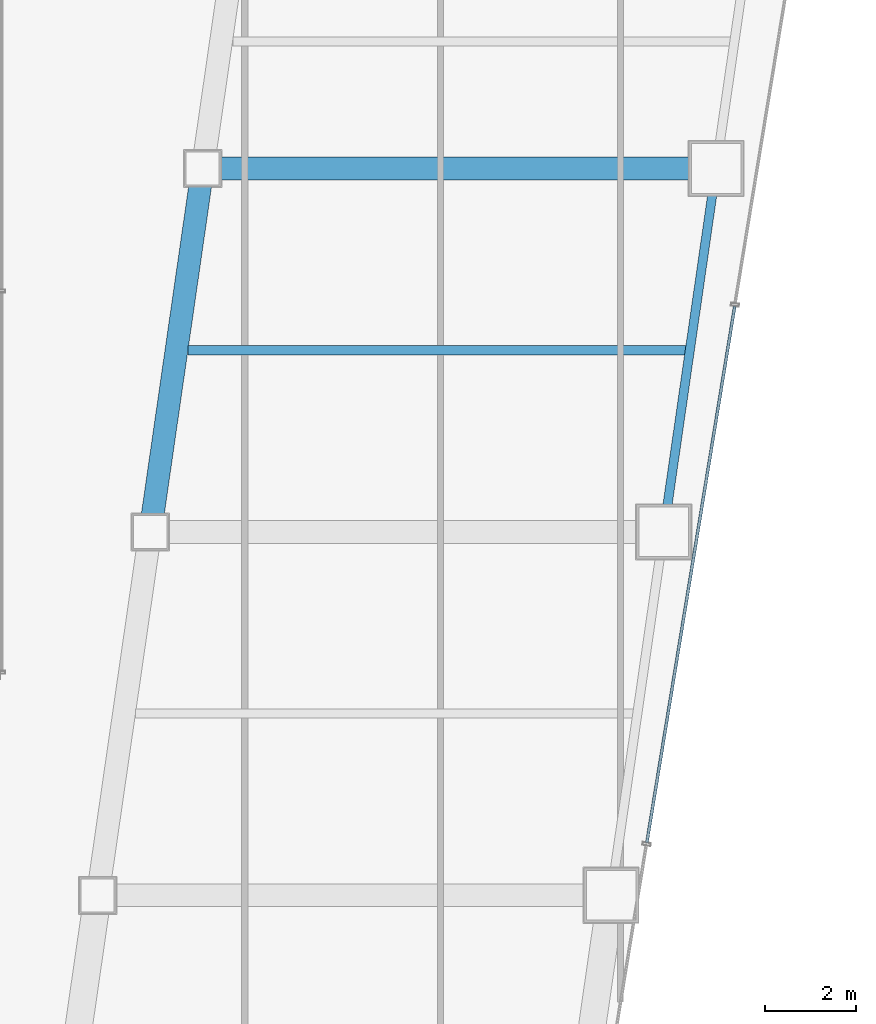
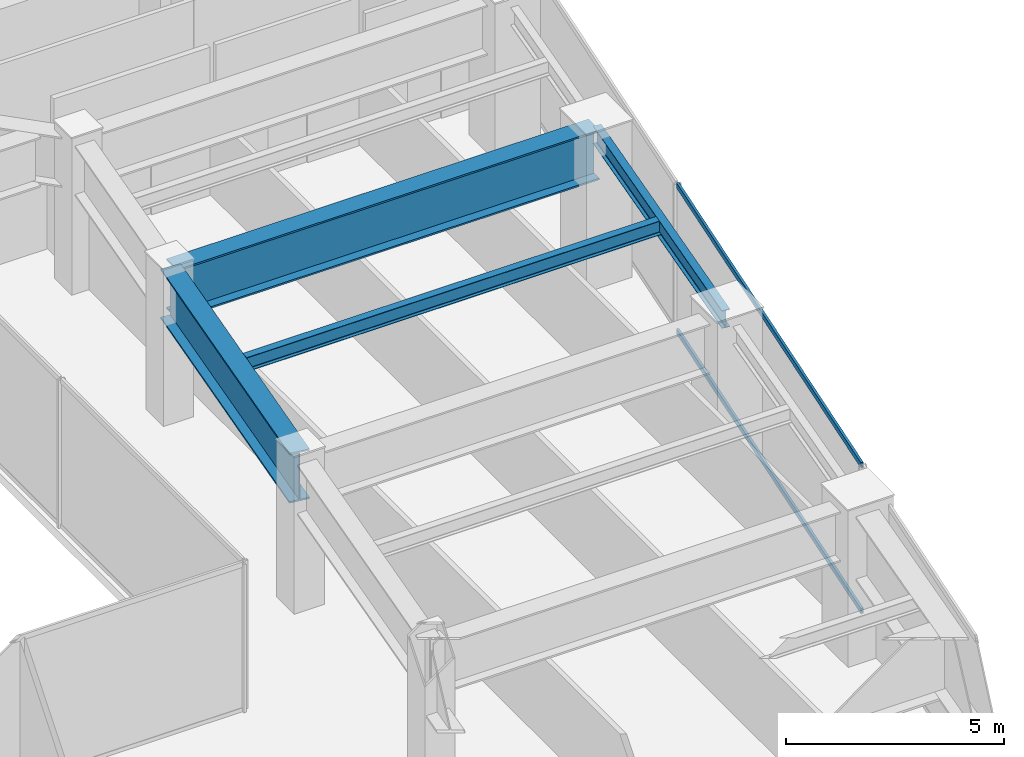
# One storey, part 19 of 40: 4 beams, 2 members, 1 element without a shape of its own.
"""IFC4 building model written with IfcOpenShell, lengths in metres."""

from ifc_helpers import new_model, si_unit, direction, frame, origin, origin_2d, place, context, subcontext, project, spatial, hollow_rectangle, i_section, extrude, material, material_profile, profile_set, type_object, element, aggregate, save


model = new_model("IFC4")

# Units and contexts
model_context = context("Model", 3, precision=1e-05, world=origin(), true_north=direction((0.0, 1.0)))
body_context = subcontext(model_context, "Body", "Model", "MODEL_VIEW")
ifc_project = project(units=[si_unit("LENGTHUNIT", "METRE"), si_unit("AREAUNIT", "SQUARE_METRE"), si_unit("VOLUMEUNIT", "CUBIC_METRE"), si_unit("PLANEANGLEUNIT", "RADIAN"), si_unit("MASSUNIT", "GRAM", prefix="KILO")], contexts=[model_context])

# Site, building, storey
site_placement = place(None, origin())
site = spatial("IfcSite", under=ifc_project, at=site_placement, CompositionType="ELEMENT")
building_placement = place(site_placement, origin())
building = spatial("IfcBuilding", under=site, at=building_placement, Name="Saevonmaru Cultural Tower", CompositionType="ELEMENT")
storey_placement = place(building_placement, frame((0.0, 0.0, 97.199951171875)))
storey = spatial("IfcBuildingStorey", under=building, at=storey_placement, Name="L20", CompositionType="ELEMENT", Elevation=97.199951171875)

# Beams
ifc_material_1 = material(Name="Steel SM355", Category="steel")
ifc_material_profile_1 = material_profile(ifc_material_1, i_section(OverallWidth=0.199951171875, OverallDepth=0.39990234375, WebThickness=0.008056640625, FlangeThickness=0.012939453125, FilletRadius=0.01611328125, at=origin_2d()), Name="H-400x200x8x13")
ifc_profile_set_1 = profile_set([ifc_material_profile_1], Name="Steel SM355")
beam_type_1 = type_object("IfcBeamType", Name="BM-J-H400", PredefinedType="JOIST", material=ifc_profile_set_1)
beam_1_placement = place(storey_placement, frame((40.0634765625, 28.0, 3.949951171875), z_axis=(1.0, 0.0, 0.0), x_axis=(0.0, 1.0, 0.0)))
element("IfcBeam", 1, at=beam_1_placement, inside=storey, type_object=beam_type_1, Name="L20 East Wing Floor Joist 4", PredefinedType="JOIST", context=body_context, shape_type="SweptSolid", body=[
    extrude(i_section(OverallWidth=0.199951171875, OverallDepth=0.39990234375, WebThickness=0.008056640625, FlangeThickness=0.012939453125, FilletRadius=0.01611328125, at=origin_2d()), origin(), (0.0, 0.0, 1.0), 10.98193359375),
])
ifc_material_profile_2 = material_profile(ifc_material_1, i_section(OverallWidth=0.199951171875, OverallDepth=0.5, WebThickness=0.010009765625, FlangeThickness=0.01611328125, FilletRadius=0.02001953125, at=origin_2d()), Name="H-500x200x10x16")
ifc_profile_set_2 = profile_set([ifc_material_profile_2], Name="Steel SM355")
beam_type_2 = type_object("IfcBeamType", Name="BM-SP-H500", PredefinedType="SPANDREL", material=ifc_profile_set_2)
beam_2_placement = place(storey_placement, frame((50.53662109375, 24.059326171875, 3.900146484375), z_axis=(0.142871999001, 0.989741174197, 0.0), x_axis=(-0.989741174197, 0.142871999001, 0.0)))
element("IfcBeam", 2, at=beam_2_placement, inside=storey, type_object=beam_type_2, Name="L20 East Splayed Spandrel 4", PredefinedType="SPANDREL", context=body_context, shape_type="SweptSolid", body=[
    extrude(i_section(OverallWidth=0.199951171875, OverallDepth=0.5, WebThickness=0.010009765625, FlangeThickness=0.01611328125, FilletRadius=0.02001953125, at=origin_2d()), origin(), (0.0, 0.0, 1.0), 7.963134765625),
])
ifc_material_2 = material(Name="Steel HSA600 (600 MPa)", Category="steel")
ifc_material_profile_3 = material_profile(ifc_material_2, i_section(OverallWidth=0.5, OverallDepth=1.39990234375, WebThickness=0.02392578125, FlangeThickness=0.044921875, at=origin_2d()), Name="PG-1400x500x24x45")
ifc_profile_set_3 = profile_set([ifc_material_profile_3], Name="Steel HSA600 (600 MPa)")
beam_type_3 = type_object("IfcBeamType", Name="BM-TG-PG1400", PredefinedType="BEAM", material=ifc_profile_set_3)
beam_3_placement = place(storey_placement, frame((39.236572265625, 24.059326171875, 3.449951171875), z_axis=(0.142902032203, 0.989736838353, 0.0), x_axis=(-0.989736838353, 0.142902032203, 0.0)))
element("IfcBeam", 3, at=beam_3_placement, inside=storey, type_object=beam_type_3, Name="L20 East Atrium Girder 4", PredefinedType="BEAM", context=body_context, shape_type="SweptSolid", body=[
    extrude(i_section(OverallWidth=0.5, OverallDepth=1.39990234375, WebThickness=0.02392578125, FlangeThickness=0.044921875, at=origin_2d()), origin(), (0.0, 0.0, 1.0), 7.963134765625),
])
beam_4_placement = place(storey_placement, frame((40.443115234375, 32.0, 3.449951171875), z_axis=(1.0, 0.0, 0.0), x_axis=(0.0, 1.0, 0.0)))
element("IfcBeam", 4, at=beam_4_placement, inside=storey, type_object=beam_type_3, Name="L20 East Wing Transverse Girder 5", PredefinedType="BEAM", context=body_context, shape_type="SweptSolid", body=[
    extrude(i_section(OverallWidth=0.5, OverallDepth=1.39990234375, WebThickness=0.02392578125, FlangeThickness=0.044921875, at=origin_2d()), origin(), (0.0, 0.0, 1.0), 11.179931640625),
])

# Curtain wall, members
ifc_material_3 = material(Name="Satin Bronze Anodised Aluminium", Category="aluminium")
curtain_wall_type = type_object("IfcCurtainWallType", Name="CW-TYP-A", PredefinedType="NOTDEFINED", material=ifc_material_3)
curtain_wall_placement = place(storey_placement, origin())
curtain_wall = element("IfcCurtainWall", 5, at=curtain_wall_placement, inside=storey, type_object=curtain_wall_type, Name="L20 Unitised Curtain Wall E8", PredefinedType="NOTDEFINED")
ifc_material_profile_4 = material_profile(ifc_material_3, hollow_rectangle(XDim=0.06494140625, YDim=0.14990234375, WallThickness=0.00390625, at=origin_2d()), Name="ALU-TRAN-150x65x4")
ifc_profile_set_4 = profile_set([ifc_material_profile_4], Name="Satin Bronze Anodised Aluminium")
member_type = type_object("IfcMemberType", Name="TR-CW-150x65", PredefinedType="USERDEFINED", material=ifc_profile_set_4)
member_1_placement = place(storey_placement, frame((50.16015625, 17.16162109375, 0.032470703125), z_axis=(0.161701400727, 0.986839732177, 0.0), x_axis=(-0.986839732177, 0.161701400727, 0.0)))
member_1 = element("IfcMember", 6, at=member_1_placement, type_object=member_type, Name="CW-TW-L20-E8 transom 2.1", ObjectType="TRANSOM", PredefinedType="USERDEFINED", context=body_context, shape_type="SweptSolid", body=[
    extrude(hollow_rectangle(XDim=0.06494140625, YDim=0.14990234375, WallThickness=0.00390625, at=origin_2d()), origin(), (0.0, 0.0, 1.0), 11.9638671875),
])
member_2_placement = place(storey_placement, frame((50.16015625, 17.16162109375, 4.117431640625), z_axis=(0.161701400727, 0.986839732177, 0.0), x_axis=(-0.986839732177, 0.161701400727, 0.0)))
member_2 = element("IfcMember", 7, at=member_2_placement, type_object=member_type, Name="CW-TW-L20-E8 transom 2.2", ObjectType="TRANSOM", PredefinedType="USERDEFINED", context=body_context, shape_type="SweptSolid", body=[
    extrude(hollow_rectangle(XDim=0.06494140625, YDim=0.14990234375, WallThickness=0.00390625, at=origin_2d()), origin(), (0.0, 0.0, 1.0), 11.9638671875),
])
aggregate(curtain_wall, [member_1, member_2])

save(model, "model.ifc")
